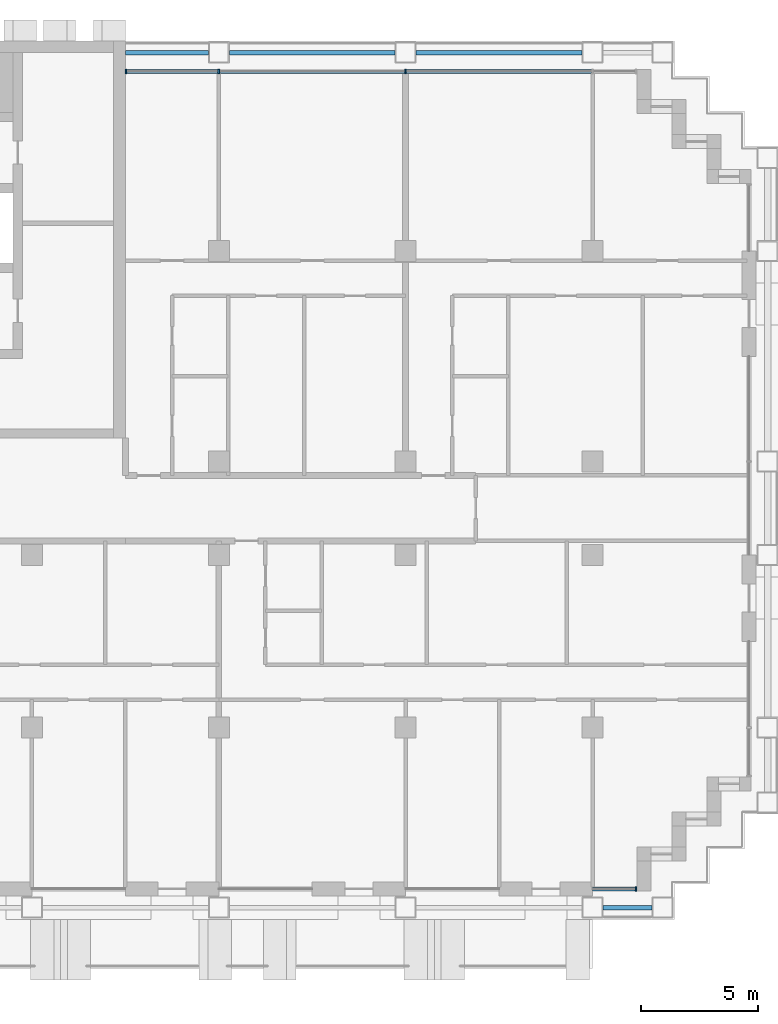
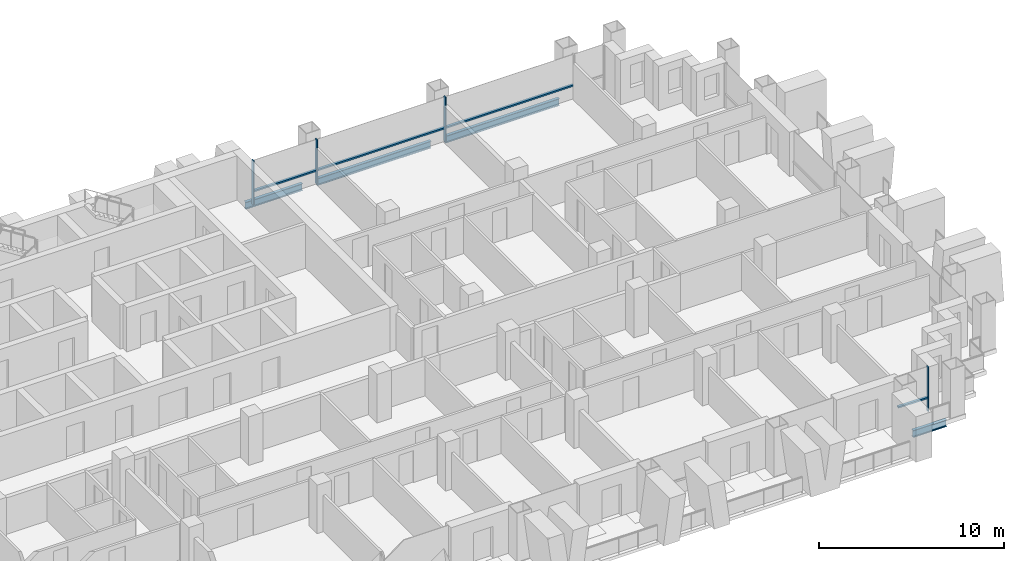
# One storey, part 5 of 17: 8 members, 4 beams, 2 elements without a shape of their own.
"""IFC4 building model written with IfcOpenShell, lengths in metres."""

from ifc_helpers import new_model, si_unit, direction, frame, origin, origin_2d, place, context, subcontext, project, spatial, rectangle, i_section, extrude, material, material_profile, profile_set, type_object, element, aggregate, save


model = new_model("IFC4")

# Units and contexts
model_context = context("Model", 3, precision=1e-05, world=origin(), true_north=direction((0.0, 1.0)))
body_context = subcontext(model_context, "Body", "Model", "MODEL_VIEW")
ifc_project = project(units=[si_unit("LENGTHUNIT", "METRE"), si_unit("AREAUNIT", "SQUARE_METRE"), si_unit("VOLUMEUNIT", "CUBIC_METRE"), si_unit("PLANEANGLEUNIT", "RADIAN"), si_unit("MASSUNIT", "GRAM", prefix="KILO")], contexts=[model_context])

# Site, building, storey
site_placement = place(None, origin())
site = spatial("IfcSite", under=ifc_project, at=site_placement, CompositionType="ELEMENT")
building_placement = place(site_placement, origin())
building = spatial("IfcBuilding", under=site, at=building_placement, Name="Vidyagriha Tower", CompositionType="ELEMENT")
storey_placement = place(building_placement, frame((0.0, 0.0, 96.699951171875)))
storey = spatial("IfcBuildingStorey", under=building, at=storey_placement, Name="L25", CompositionType="ELEMENT", Elevation=96.699951171875)

# Beams
ifc_material_1 = material(Name="Steel ASTM A992 Grade 50", Category="steel")
ifc_material_profile_1 = material_profile(ifc_material_1, i_section(OverallWidth=0.19189453125, OverallDepth=0.46240234375, WebThickness=0.010498046875, FlangeThickness=0.017578125, at=origin_2d()), Name="W18X60")
ifc_profile_set_1 = profile_set([ifc_material_profile_1], Name="Steel ASTM A992 Grade 50")
beam_type = type_object("IfcBeamType", Name="Edge beam W18X60", PredefinedType="SPANDREL", material=ifc_profile_set_1)
beam_1_placement = place(storey_placement, frame((34.449951171875, -17.10009765625, -0.510986328125), z_axis=(1.0, 0.0, 0.0), x_axis=(0.0, 1.0, 0.0)))
element("IfcBeam", 1, at=beam_1_placement, inside=storey, type_object=beam_type, Name="st-beam-L25-S09", PredefinedType="SPANDREL", context=body_context, shape_type="SweptSolid", body=[
    extrude(i_section(OverallWidth=0.19189453125, OverallDepth=0.46240234375, WebThickness=0.010498046875, FlangeThickness=0.017578125, at=origin_2d()), origin(), (0.0, 0.0, 1.0), 2.10009765625),
])
for number, where, z_axis, x_axis, name in (
    (2, (18.449951171875, 19.5, -0.510986328125), (1.0, 0.0, 0.0), (0.0, 1.0, 0.0), "st-beam-L25-NE21"),
    (3, (26.449951171875, 19.5, -0.510986328125), (1.0, 0.0, 0.0), (0.0, 1.0, 0.0), "st-beam-L25-NE22"),
):
    element("IfcBeam", number, at=place(storey_placement, frame(where, z_axis=z_axis, x_axis=x_axis)), inside=storey, type_object=beam_type, Name=name, PredefinedType="SPANDREL", context=body_context, shape_type="SweptSolid", body=[
        extrude(i_section(OverallWidth=0.19189453125, OverallDepth=0.46240234375, WebThickness=0.010498046875, FlangeThickness=0.017578125, at=origin_2d()), origin(), (0.0, 0.0, 1.0), 7.10009765625),
    ])
beam_2_placement = place(storey_placement, frame((14.0, 19.5, -0.510986328125), z_axis=(1.0, 0.0, 0.0), x_axis=(0.0, 1.0, 0.0)))
element("IfcBeam", 4, at=beam_2_placement, inside=storey, type_object=beam_type, Name="st-beam-L25-NC25", PredefinedType="SPANDREL", context=body_context, shape_type="SweptSolid", body=[
    extrude(i_section(OverallWidth=0.19189453125, OverallDepth=0.46240234375, WebThickness=0.010498046875, FlangeThickness=0.017578125, at=origin_2d()), origin(), (0.0, 0.0, 1.0), 3.550048828125),
])

# Curtain wall, members
ifc_material_2 = material(Name="Aluminium and glass curtain wall", Category="aluminium")
curtain_wall_type = type_object("IfcCurtainWallType", Name="Dwelling skin unitised curtain wall", PredefinedType="USERDEFINED", material=ifc_material_2)
curtain_wall_1_placement = place(storey_placement, origin())
curtain_wall_1 = element("IfcCurtainWall", 5, at=curtain_wall_1_placement, inside=storey, type_object=curtain_wall_type, Name="CW1 dwelling skin", ObjectType="UNITISED", PredefinedType="USERDEFINED")
ifc_material_3 = material(Name="Aluminium black anodised", Category="aluminium")
ifc_material_profile_2 = material_profile(ifc_material_3, rectangle(XDim=0.199951171875, YDim=0.070068359375, at=origin_2d()), Name="Mullion 70x200 black aluminium")
ifc_profile_set_2 = profile_set([ifc_material_profile_2], Name="Aluminium black anodised")
member_type_1 = type_object("IfcMemberType", Name="Mullion 70x200 black aluminium", PredefinedType="MULLION", material=ifc_profile_set_2)
member_1_placement = place(storey_placement, frame((26.0, 18.699951171875, 0.0), z_axis=(0.0, 0.0, 1.0), x_axis=(0.0, -1.0, 0.0)))
member_1 = element("IfcMember", 6, at=member_1_placement, type_object=member_type_1, Name="CW1 mullion 3", PredefinedType="MULLION", context=body_context, shape_type="SweptSolid", body=[
    extrude(rectangle(XDim=0.199951171875, YDim=0.070068359375, at=origin_2d()), origin(), (0.0, 0.0, 1.0), 2.920166015625),
])
member_2_placement = place(storey_placement, frame((18.0, 18.699951171875, 0.0), z_axis=(0.0, 0.0, 1.0), x_axis=(0.0, -1.0, 0.0)))
member_2 = element("IfcMember", 7, at=member_2_placement, type_object=member_type_1, Name="CW1 mullion 4", PredefinedType="MULLION", context=body_context, shape_type="SweptSolid", body=[
    extrude(rectangle(XDim=0.199951171875, YDim=0.070068359375, at=origin_2d()), origin(), (0.0, 0.0, 1.0), 2.920166015625),
])
member_3_placement = place(storey_placement, frame((14.034912109375, 18.699951171875, 0.0), z_axis=(0.0, 0.0, 1.0), x_axis=(0.0, -1.0, 0.0)))
member_3 = element("IfcMember", 8, at=member_3_placement, type_object=member_type_1, Name="CW1 mullion 5", PredefinedType="MULLION", context=body_context, shape_type="SweptSolid", body=[
    extrude(rectangle(XDim=0.199951171875, YDim=0.070068359375, at=origin_2d()), origin(), (0.0, 0.0, 1.0), 2.920166015625),
])

# Curtain wall, member
curtain_wall_2_placement = place(storey_placement, origin())
curtain_wall_2 = element("IfcCurtainWall", 9, at=curtain_wall_2_placement, inside=storey, type_object=curtain_wall_type, Name="CW1 dwelling skin", ObjectType="UNITISED", PredefinedType="USERDEFINED")
member_4_placement = place(storey_placement, frame((35.864990234375, -16.300048828125, 0.0), z_axis=(0.0, 0.0, 1.0), x_axis=(0.0, 1.0, 0.0)))
member_4 = element("IfcMember", 10, at=member_4_placement, type_object=member_type_1, Name="CW1 mullion 2", PredefinedType="MULLION", context=body_context, shape_type="SweptSolid", body=[
    extrude(rectangle(XDim=0.199951171875, YDim=0.070068359375, at=origin_2d()), origin(), (0.0, 0.0, 1.0), 2.920166015625),
])

# Member
ifc_material_4 = material(Name="Aluminium black anodised", Category="aluminium")
ifc_material_profile_3 = material_profile(ifc_material_4, rectangle(XDim=0.159912109375, YDim=0.10009765625, at=origin_2d()), Name="Transom 100x160 black aluminium")
ifc_profile_set_3 = profile_set([ifc_material_profile_3], Name="Aluminium black anodised")
member_type_2 = type_object("IfcMemberType", Name="Transom 100x160 black aluminium", PredefinedType="USERDEFINED", material=ifc_profile_set_3)
member_5_placement = place(storey_placement, frame((33.965087890625, 18.699951171875, 0.900146484375), z_axis=(-1.0, 0.0, 0.0), x_axis=(0.0, -1.0, 0.0)))
member_5 = element("IfcMember", 11, at=member_5_placement, type_object=member_type_2, Name="CW1 transom 2.1", ObjectType="TRANSOM", PredefinedType="USERDEFINED", context=body_context, shape_type="SweptSolid", body=[
    extrude(rectangle(XDim=0.159912109375, YDim=0.10009765625, at=origin_2d()), origin(), (0.0, 0.0, 1.0), 7.93017578125),
])

member_6_placement = place(storey_placement, frame((25.965087890625, 18.699951171875, 0.900146484375), z_axis=(-1.0, 0.0, 0.0), x_axis=(0.0, -1.0, 0.0)))
member_6 = element("IfcMember", 12, at=member_6_placement, type_object=member_type_2, Name="CW1 transom 3.1", ObjectType="TRANSOM", PredefinedType="USERDEFINED", context=body_context, shape_type="SweptSolid", body=[
    extrude(rectangle(XDim=0.159912109375, YDim=0.10009765625, at=origin_2d()), origin(), (0.0, 0.0, 1.0), 7.93017578125),
])

member_7_placement = place(storey_placement, frame((17.965087890625, 18.699951171875, 0.900146484375), z_axis=(-1.0, 0.0, 0.0), x_axis=(0.0, -1.0, 0.0)))
member_7 = element("IfcMember", 13, at=member_7_placement, type_object=member_type_2, Name="CW1 transom 4.1", ObjectType="TRANSOM", PredefinedType="USERDEFINED", context=body_context, shape_type="SweptSolid", body=[
    extrude(rectangle(XDim=0.159912109375, YDim=0.10009765625, at=origin_2d()), origin(), (0.0, 0.0, 1.0), 3.89501953125),
])

aggregate(curtain_wall_1, [member_1, member_2, member_3, member_5, member_6, member_7])

member_8_placement = place(storey_placement, frame((34.0, -16.300048828125, 0.900146484375), z_axis=(1.0, 0.0, 0.0), x_axis=(0.0, 1.0, 0.0)))
member_8 = element("IfcMember", 14, at=member_8_placement, type_object=member_type_2, Name="CW1 transom 1.1", ObjectType="TRANSOM", PredefinedType="USERDEFINED", context=body_context, shape_type="SweptSolid", body=[
    extrude(rectangle(XDim=0.159912109375, YDim=0.10009765625, at=origin_2d()), origin(), (0.0, 0.0, 1.0), 1.830078125),
])

aggregate(curtain_wall_2, [member_4, member_8])

save(model, "model.ifc")
